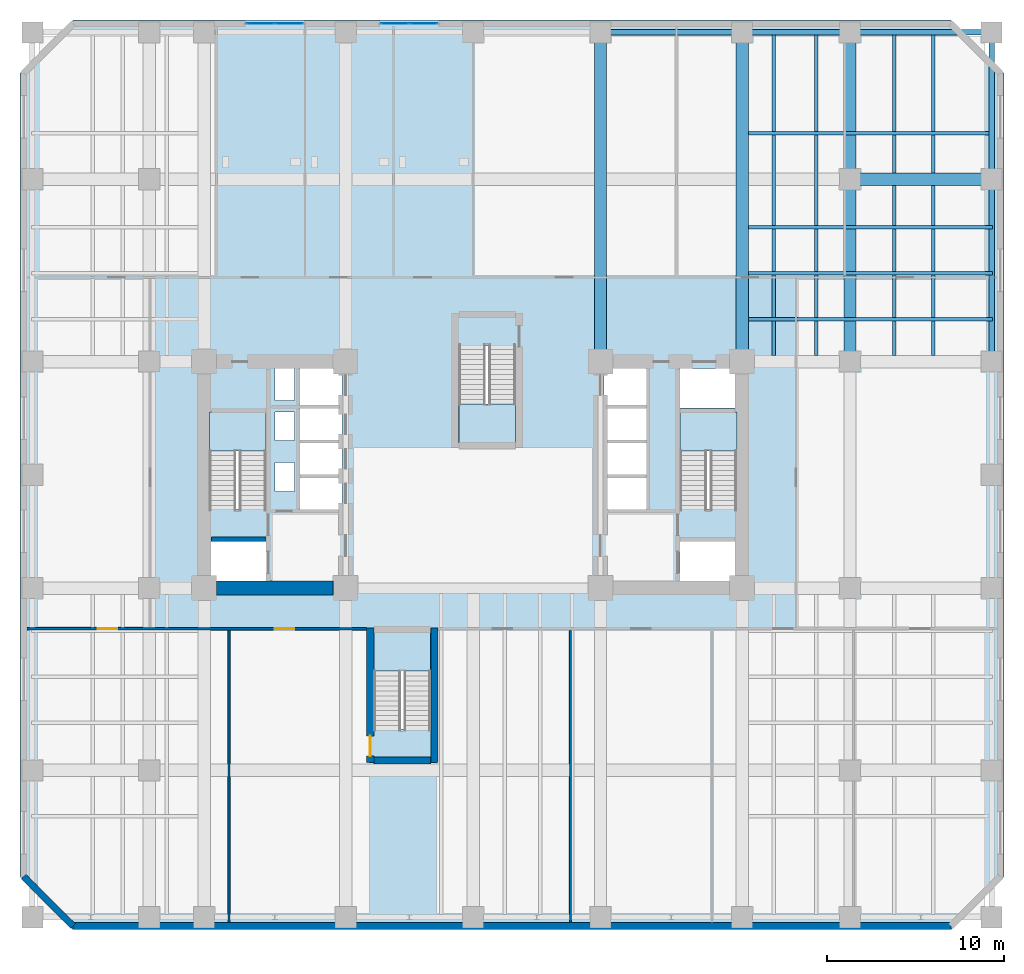
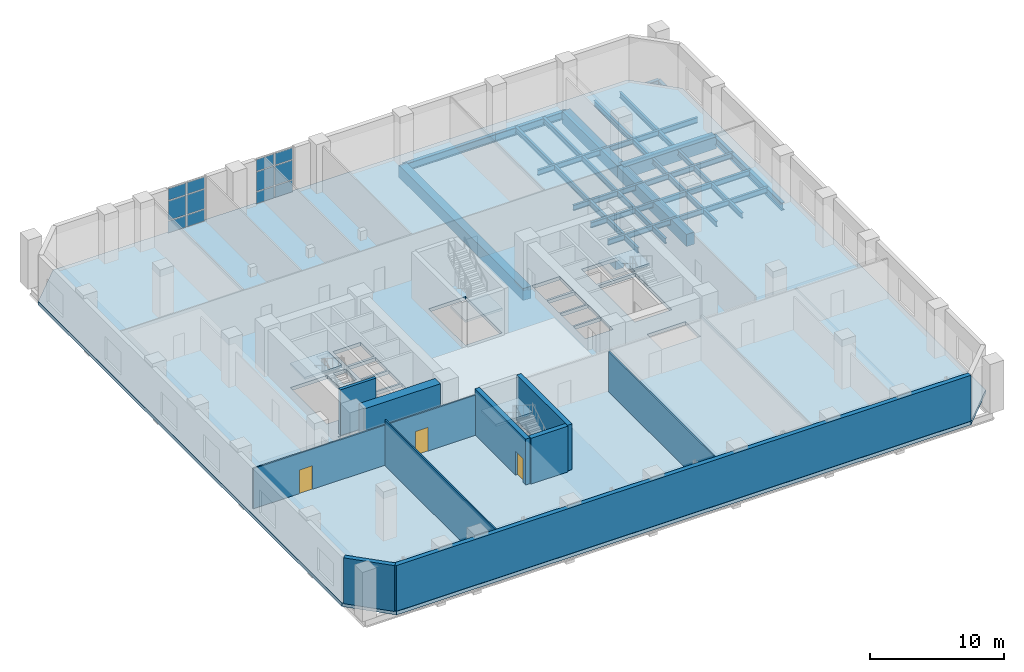
# One storey, part 6 of 15: 18 beams, 12 plates, 10 walls, 5 slabs, 3 doors, 3 openings, 6 elements without a shape of their own.
"""IFC4 building model written with IfcOpenShell, lengths in metres."""

from ifc_helpers import new_model, si_unit, direction, frame, frame_2d, origin, origin_2d, place, context, subcontext, project, spatial, polyline, rectangle, i_section, outline, extrude, material, layer, layer_set, material_profile, profile_set, type_object, element, fill, aggregate, save


model = new_model("IFC4")

# Units and contexts
model_context = context("Model", 3, precision=1e-05, world=origin(), true_north=direction((0.0, 1.0)))
body_context = subcontext(model_context, "Body", "Model", "MODEL_VIEW")
ifc_project = project(units=[si_unit("LENGTHUNIT", "METRE"), si_unit("AREAUNIT", "SQUARE_METRE"), si_unit("VOLUMEUNIT", "CUBIC_METRE"), si_unit("PLANEANGLEUNIT", "RADIAN"), si_unit("MASSUNIT", "GRAM", prefix="KILO")], contexts=[model_context])

# Site, building, storey
site_placement = place(None, origin())
site = spatial("IfcSite", under=ifc_project, at=site_placement, CompositionType="ELEMENT")
building_placement = place(site_placement, origin())
building = spatial("IfcBuilding", under=site, at=building_placement, Name="Kranthara Brick Stack", CompositionType="ELEMENT")
storey_placement = place(building_placement, frame((0.0, 0.0, 9.89990234375)))
storey = spatial("IfcBuildingStorey", under=building, at=storey_placement, Name="L02", CompositionType="ELEMENT", Elevation=9.89990234375)

# Beams
ifc_material_1 = material(Name="Steel S355", Category="steel")
ifc_material_profile_1 = material_profile(ifc_material_1, i_section(OverallWidth=0.199951171875, OverallDepth=0.5, WebThickness=0.01025390625, FlangeThickness=0.01611328125, at=origin_2d()), Name="IPE 500")
ifc_profile_set_1 = profile_set([ifc_material_profile_1], Name="Steel S355")
beam_type_1 = type_object("IfcBeamType", Name="BM-JST-IPE500", PredefinedType="JOIST", material=ifc_profile_set_1)
for number, where, z_axis, x_axis, name in (
    (1, (45.0, 33.949951171875, -0.56982421875), (0.0, 1.0, 0.0), (-1.0, 0.0, 0.0), "L02 North Wing Floor Joist 076"),
    (2, (47.39990234375, 33.949951171875, -0.56982421875), (0.0, 1.0, 0.0), (-1.0, 0.0, 0.0), "L02 North Wing Floor Joist 078"),
    (3, (51.800048828125, 33.949951171875, -0.56982421875), (0.0, 1.0, 0.0), (-1.0, 0.0, 0.0), "L02 North Wing Floor Joist 080"),
    (4, (54.0, 33.949951171875, -0.56982421875), (0.0, 1.0, 0.0), (-1.0, 0.0, 0.0), "L02 North Wing Floor Joist 082"),
):
    element("IfcBeam", number, at=place(storey_placement, frame(where, z_axis=z_axis, x_axis=x_axis)), inside=storey, type_object=beam_type_1, Name=name, PredefinedType="JOIST", context=body_context, shape_type="SweptSolid", body=[
        extrude(i_section(OverallWidth=0.199951171875, OverallDepth=0.5, WebThickness=0.01025390625, FlangeThickness=0.01611328125, at=origin_2d()), origin(), (0.0, 0.0, 1.0), 18.300048828125),
    ])
for number, where, z_axis, x_axis, name in (
    (5, (43.550048828125, 36.0, -0.56982421875), (1.0, 0.0, 0.0), (0.0, 1.0, 0.0), "L02 East Wing Floor Joist 092"),
    (6, (43.550048828125, 38.60009765625, -0.56982421875), (1.0, 0.0, 0.0), (0.0, 1.0, 0.0), "L02 East Wing Floor Joist 094"),
    (7, (43.550048828125, 41.199951171875, -0.56982421875), (1.0, 0.0, 0.0), (0.0, 1.0, 0.0), "L02 East Wing Floor Joist 096"),
    (8, (43.550048828125, 46.5, -0.56982421875), (1.0, 0.0, 0.0), (0.0, 1.0, 0.0), "L02 East Wing Floor Joist 098"),
):
    element("IfcBeam", number, at=place(storey_placement, frame(where, z_axis=z_axis, x_axis=x_axis)), inside=storey, type_object=beam_type_1, Name=name, PredefinedType="JOIST", context=body_context, shape_type="SweptSolid", body=[
        extrude(i_section(OverallWidth=0.199951171875, OverallDepth=0.5, WebThickness=0.01025390625, FlangeThickness=0.01611328125, at=origin_2d()), origin(), (0.0, 0.0, 1.0), 13.800048828125),
    ])
ifc_material_2 = material(Name="Post-tensioned concrete C45/55", Category="concrete")
ifc_material_profile_2 = material_profile(ifc_material_2, rectangle(XDim=0.699951171875, YDim=1.10009765625, at=origin_2d()), Name="PT 700x1100")
ifc_profile_set_2 = profile_set([ifc_material_profile_2], Name="Post-tensioned concrete C45/55")
beam_type_2 = type_object("IfcBeamType", Name="BM-POD-PT1100", PredefinedType="BEAM", material=ifc_profile_set_2)
for number, where, z_axis, x_axis, name in (
    (9, (35.199951171875, 33.60009765625, -0.869873046875), (0.0, 1.0, 0.0), (-1.0, 0.0, 0.0), "L02 Primary Grid Girder 043"),
    (10, (43.199951171875, 33.60009765625, -0.869873046875), (0.0, 1.0, 0.0), (-1.0, 0.0, 0.0), "L02 Primary Grid Girder 045"),
):
    element("IfcBeam", number, at=place(storey_placement, frame(where, z_axis=z_axis, x_axis=x_axis)), inside=storey, type_object=beam_type_2, Name=name, PredefinedType="BEAM", context=body_context, shape_type="SweptSolid", body=[
        extrude(rectangle(XDim=0.699951171875, YDim=1.10009765625, at=origin_2d()), origin(), (0.0, 0.0, 1.0), 18.599853515625),
    ])
beam_1_placement = place(storey_placement, frame((49.300048828125, 33.60009765625, -0.869873046875), z_axis=(0.0, 1.0, 0.0), x_axis=(-1.0, 0.0, 0.0)))
element("IfcBeam", 11, at=beam_1_placement, inside=storey, type_object=beam_type_2, Name="L02 Primary Grid Girder 049", PredefinedType="BEAM", context=body_context, shape_type="SweptSolid", body=[
    extrude(rectangle(XDim=0.699951171875, YDim=1.10009765625, at=origin_2d()), origin(), (0.0, 0.0, 1.0), 10.2998046875),
])
beam_2_placement = place(storey_placement, frame((49.300048828125, 43.89990234375, -0.869873046875), z_axis=(0.0, 1.0, 0.0), x_axis=(-1.0, 0.0, 0.0)))
element("IfcBeam", 12, at=beam_2_placement, inside=storey, type_object=beam_type_2, Name="L02 Primary Grid Girder 050", PredefinedType="BEAM", context=body_context, shape_type="SweptSolid", body=[
    extrude(rectangle(XDim=0.699951171875, YDim=1.10009765625, at=origin_2d()), origin(), (0.0, 0.0, 1.0), 8.300048828125),
])
beam_3_placement = place(storey_placement, frame((49.300048828125, 43.89990234375, -0.869873046875), z_axis=(1.0, 0.0, 0.0), x_axis=(0.0, 1.0, 0.0)))
element("IfcBeam", 13, at=beam_3_placement, inside=storey, type_object=beam_type_2, Name="L02 Primary Grid Girder 064", PredefinedType="BEAM", context=body_context, shape_type="SweptSolid", body=[
    extrude(rectangle(XDim=0.699951171875, YDim=1.10009765625, at=origin_2d()), origin(), (0.0, 0.0, 1.0), 8.0),
])
ifc_material_3 = material(Name="Steel S355", Category="steel")
ifc_material_profile_3 = material_profile(ifc_material_3, i_section(OverallWidth=0.300048828125, OverallDepth=0.699951171875, WebThickness=0.01708984375, FlangeThickness=0.031982421875, at=origin_2d()), Name="HEB 700")
ifc_profile_set_3 = profile_set([ifc_material_profile_3], Name="Steel S355")
beam_type_3 = type_object("IfcBeamType", Name="BM-STL-HEB700", PredefinedType="BEAM", material=ifc_profile_set_3)
beam_4_placement = place(storey_placement, frame((35.199951171875, 52.199951171875, -0.669921875), z_axis=(1.0, 0.0, 0.0), x_axis=(0.0, 1.0, 0.0)))
element("IfcBeam", 14, at=beam_4_placement, inside=storey, type_object=beam_type_3, Name="L02 Perimeter Spandrel Beam 017", PredefinedType="BEAM", context=body_context, shape_type="SweptSolid", body=[
    extrude(i_section(OverallWidth=0.300048828125, OverallDepth=0.699951171875, WebThickness=0.01708984375, FlangeThickness=0.031982421875, at=origin_2d()), origin(), (0.0, 0.0, 1.0), 8.0),
])
beam_5_placement = place(storey_placement, frame((43.199951171875, 52.199951171875, -0.669921875), z_axis=(1.0, 0.0, 0.0), x_axis=(0.0, 1.0, 0.0)))
element("IfcBeam", 15, at=beam_5_placement, inside=storey, type_object=beam_type_3, Name="L02 Perimeter Spandrel Beam 018", PredefinedType="BEAM", context=body_context, shape_type="SweptSolid", body=[
    extrude(i_section(OverallWidth=0.300048828125, OverallDepth=0.699951171875, WebThickness=0.01708984375, FlangeThickness=0.031982421875, at=origin_2d()), origin(), (0.0, 0.0, 1.0), 6.10009765625),
])
beam_6_placement = place(storey_placement, frame((49.300048828125, 52.199951171875, -0.669921875), z_axis=(1.0, 0.0, 0.0), x_axis=(0.0, 1.0, 0.0)))
element("IfcBeam", 16, at=beam_6_placement, inside=storey, type_object=beam_type_3, Name="L02 Perimeter Spandrel Beam 019", PredefinedType="BEAM", context=body_context, shape_type="SweptSolid", body=[
    extrude(i_section(OverallWidth=0.300048828125, OverallDepth=0.699951171875, WebThickness=0.01708984375, FlangeThickness=0.031982421875, at=origin_2d()), origin(), (0.0, 0.0, 1.0), 8.0),
])
beam_7_placement = place(storey_placement, frame((57.300048828125, 33.60009765625, -0.669921875), z_axis=(0.0, 1.0, 0.0), x_axis=(-1.0, 0.0, 0.0)))
element("IfcBeam", 17, at=beam_7_placement, inside=storey, type_object=beam_type_3, Name="L02 Perimeter Spandrel Beam 030", PredefinedType="BEAM", context=body_context, shape_type="SweptSolid", body=[
    extrude(i_section(OverallWidth=0.300048828125, OverallDepth=0.699951171875, WebThickness=0.01708984375, FlangeThickness=0.031982421875, at=origin_2d()), origin(), (0.0, 0.0, 1.0), 10.2998046875),
])
beam_8_placement = place(storey_placement, frame((57.300048828125, 43.89990234375, -0.669921875), z_axis=(0.0, 1.0, 0.0), x_axis=(-1.0, 0.0, 0.0)))
element("IfcBeam", 18, at=beam_8_placement, inside=storey, type_object=beam_type_3, Name="L02 Perimeter Spandrel Beam 031", PredefinedType="BEAM", context=body_context, shape_type="SweptSolid", body=[
    extrude(i_section(OverallWidth=0.300048828125, OverallDepth=0.699951171875, WebThickness=0.01708984375, FlangeThickness=0.031982421875, at=origin_2d()), origin(), (0.0, 0.0, 1.0), 8.300048828125),
])

# Curtain wall, plates
ifc_material_4 = material(Name="Bronze anodised aluminium and low-E glass", Category="aluminium")
ifc_layer_1 = layer(ifc_material_4, 0.219970703125)
ifc_layer_set_1 = layer_set([ifc_layer_1], Name="Bronze anodised aluminium and low-E glass")
curtain_wall_type = type_object("IfcCurtainWallType", Name="CW-SYS2-PODIUM", PredefinedType="USERDEFINED", material=ifc_layer_set_1)
curtain_wall_1_placement = place(storey_placement, origin())
curtain_wall_1 = element("IfcCurtainWall", 19, at=curtain_wall_1_placement, inside=storey, type_object=curtain_wall_type, Name="L02 Curtain Wall CW2-L02-01", ObjectType="UNITISED CURTAIN WALL", PredefinedType="USERDEFINED")
ifc_material_5 = material(Name="Double-glazed low-E vision glass", Category="glass")
ifc_layer_2 = layer(ifc_material_5, 0.028076171875)
ifc_layer_set_2 = layer_set([ifc_layer_2], Name="Double-glazed low-E vision glass")
plate_type = type_object("IfcPlateType", Name="CWP-GLZ-28", PredefinedType="CURTAIN_PANEL", material=ifc_layer_set_2)
plate_1_placement = place(storey_placement, frame((15.99365234375, 52.68994140625, 0.0751953125), z_axis=(0.0, 0.0, 1.0), x_axis=(1.0, 0.0, 0.0)))
plate_1 = element("IfcPlate", 20, at=plate_1_placement, type_object=plate_type, Name="CW panel 1.1", PredefinedType="CURTAIN_PANEL", context=body_context, shape_type="SweptSolid", body=[
    extrude(rectangle(XDim=1.53759765625, YDim=0.028076171875, at=origin_2d()), origin(), (0.0, 0.0, 1.0), 1.057861328125),
])
plate_2_placement = place(storey_placement, frame((15.99365234375, 52.68994140625, 1.2080078125), z_axis=(0.0, 0.0, 1.0), x_axis=(1.0, 0.0, 0.0)))
plate_2 = element("IfcPlate", 21, at=plate_2_placement, type_object=plate_type, Name="CW panel 1.2", PredefinedType="CURTAIN_PANEL", context=body_context, shape_type="SweptSolid", body=[
    extrude(rectangle(XDim=1.53759765625, YDim=0.028076171875, at=origin_2d()), origin(), (0.0, 0.0, 1.0), 1.76416015625),
])
plate_3_placement = place(storey_placement, frame((15.99365234375, 52.68994140625, 3.04736328125), z_axis=(0.0, 0.0, 1.0), x_axis=(1.0, 0.0, 0.0)))
plate_3 = element("IfcPlate", 22, at=plate_3_placement, type_object=plate_type, Name="CW panel 1.3", PredefinedType="CURTAIN_PANEL", context=body_context, shape_type="SweptSolid", body=[
    extrude(rectangle(XDim=1.53759765625, YDim=0.028076171875, at=origin_2d()), origin(), (0.0, 0.0, 1.0), 1.057861328125),
])
plate_4_placement = place(storey_placement, frame((17.606201171875, 52.68994140625, 0.0751953125), z_axis=(0.0, 0.0, 1.0), x_axis=(1.0, 0.0, 0.0)))
plate_4 = element("IfcPlate", 23, at=plate_4_placement, type_object=plate_type, Name="CW panel 2.1", PredefinedType="CURTAIN_PANEL", context=body_context, shape_type="SweptSolid", body=[
    extrude(rectangle(XDim=1.53759765625, YDim=0.028076171875, at=origin_2d()), origin(), (0.0, 0.0, 1.0), 1.057861328125),
])
plate_5_placement = place(storey_placement, frame((17.606201171875, 52.68994140625, 1.2080078125), z_axis=(0.0, 0.0, 1.0), x_axis=(1.0, 0.0, 0.0)))
plate_5 = element("IfcPlate", 24, at=plate_5_placement, type_object=plate_type, Name="CW panel 2.2", PredefinedType="CURTAIN_PANEL", context=body_context, shape_type="SweptSolid", body=[
    extrude(rectangle(XDim=1.53759765625, YDim=0.028076171875, at=origin_2d()), origin(), (0.0, 0.0, 1.0), 1.76416015625),
])
plate_6_placement = place(storey_placement, frame((17.606201171875, 52.68994140625, 3.04736328125), z_axis=(0.0, 0.0, 1.0), x_axis=(1.0, 0.0, 0.0)))
plate_6 = element("IfcPlate", 25, at=plate_6_placement, type_object=plate_type, Name="CW panel 2.3", PredefinedType="CURTAIN_PANEL", context=body_context, shape_type="SweptSolid", body=[
    extrude(rectangle(XDim=1.53759765625, YDim=0.028076171875, at=origin_2d()), origin(), (0.0, 0.0, 1.0), 1.057861328125),
])
aggregate(curtain_wall_1, [plate_1, plate_2, plate_3, plate_4, plate_5, plate_6])

curtain_wall_2_placement = place(storey_placement, origin())
curtain_wall_2 = element("IfcCurtainWall", 26, at=curtain_wall_2_placement, inside=storey, type_object=curtain_wall_type, Name="L02 Curtain Wall CW2-L02-02", ObjectType="UNITISED CURTAIN WALL", PredefinedType="USERDEFINED")
plate_7_placement = place(storey_placement, frame((23.59375, 52.68994140625, 0.0751953125), z_axis=(0.0, 0.0, 1.0), x_axis=(1.0, 0.0, 0.0)))
plate_7 = element("IfcPlate", 27, at=plate_7_placement, type_object=plate_type, Name="CW panel 1.1", PredefinedType="CURTAIN_PANEL", context=body_context, shape_type="SweptSolid", body=[
    extrude(rectangle(XDim=1.53759765625, YDim=0.028076171875, at=origin_2d()), origin(), (0.0, 0.0, 1.0), 1.057861328125),
])
plate_8_placement = place(storey_placement, frame((23.59375, 52.68994140625, 1.2080078125), z_axis=(0.0, 0.0, 1.0), x_axis=(1.0, 0.0, 0.0)))
plate_8 = element("IfcPlate", 28, at=plate_8_placement, type_object=plate_type, Name="CW panel 1.2", PredefinedType="CURTAIN_PANEL", context=body_context, shape_type="SweptSolid", body=[
    extrude(rectangle(XDim=1.53759765625, YDim=0.028076171875, at=origin_2d()), origin(), (0.0, 0.0, 1.0), 1.76416015625),
])
plate_9_placement = place(storey_placement, frame((23.59375, 52.68994140625, 3.04736328125), z_axis=(0.0, 0.0, 1.0), x_axis=(1.0, 0.0, 0.0)))
plate_9 = element("IfcPlate", 29, at=plate_9_placement, type_object=plate_type, Name="CW panel 1.3", PredefinedType="CURTAIN_PANEL", context=body_context, shape_type="SweptSolid", body=[
    extrude(rectangle(XDim=1.53759765625, YDim=0.028076171875, at=origin_2d()), origin(), (0.0, 0.0, 1.0), 1.057861328125),
])
plate_10_placement = place(storey_placement, frame((25.206298828125, 52.68994140625, 0.0751953125), z_axis=(0.0, 0.0, 1.0), x_axis=(1.0, 0.0, 0.0)))
plate_10 = element("IfcPlate", 30, at=plate_10_placement, type_object=plate_type, Name="CW panel 2.1", PredefinedType="CURTAIN_PANEL", context=body_context, shape_type="SweptSolid", body=[
    extrude(rectangle(XDim=1.53759765625, YDim=0.028076171875, at=origin_2d()), origin(), (0.0, 0.0, 1.0), 1.057861328125),
])
plate_11_placement = place(storey_placement, frame((25.206298828125, 52.68994140625, 1.2080078125), z_axis=(0.0, 0.0, 1.0), x_axis=(1.0, 0.0, 0.0)))
plate_11 = element("IfcPlate", 31, at=plate_11_placement, type_object=plate_type, Name="CW panel 2.2", PredefinedType="CURTAIN_PANEL", context=body_context, shape_type="SweptSolid", body=[
    extrude(rectangle(XDim=1.53759765625, YDim=0.028076171875, at=origin_2d()), origin(), (0.0, 0.0, 1.0), 1.76416015625),
])
plate_12_placement = place(storey_placement, frame((25.206298828125, 52.68994140625, 3.04736328125), z_axis=(0.0, 0.0, 1.0), x_axis=(1.0, 0.0, 0.0)))
plate_12 = element("IfcPlate", 32, at=plate_12_placement, type_object=plate_type, Name="CW panel 2.3", PredefinedType="CURTAIN_PANEL", context=body_context, shape_type="SweptSolid", body=[
    extrude(rectangle(XDim=1.53759765625, YDim=0.028076171875, at=origin_2d()), origin(), (0.0, 0.0, 1.0), 1.057861328125),
])
aggregate(curtain_wall_2, [plate_7, plate_8, plate_9, plate_10, plate_11, plate_12])

# Stair, slab
ifc_material_6 = material(Name="Concrete C45/55", Category="concrete")
stair_type = type_object("IfcStairType", Name="ST-CORE-26R", PredefinedType="HALF_TURN_STAIR", material=ifc_material_6)
stair_1_placement = place(storey_placement, origin())
stair_1 = element("IfcStair", 33, at=stair_1_placement, inside=storey, type_object=stair_type, Name="L02 West Core Protected Exit Stair ST01", PredefinedType="HALF_TURN_STAIR")
ifc_material_7 = material(Name="Concrete C45/55", Category="concrete")
ifc_layer_3 = layer(ifc_material_7, 0.199951171875)
ifc_layer_set_3 = layer_set([ifc_layer_3], Name="Concrete C45/55")
slab_type_1 = type_object("IfcSlabType", Name="SLB-LANDING-200", PredefinedType="LANDING", material=ifc_layer_set_3)
slab_1_placement = place(storey_placement, frame((0.0, 0.0, 2.050048828125)))
slab_1 = element("IfcSlab", 34, at=slab_1_placement, type_object=slab_type_1, Name="ST01 landing 1", PredefinedType="LANDING", context=body_context, shape_type="SweptSolid", body=[
    extrude(outline(polyline([(16.300048828125, 28.56005859375), (16.300048828125, 30.75), (13.10009765625, 30.75), (13.10009765625, 28.56005859375), (16.300048828125, 28.56005859375)])), origin(), (0.0, 0.0, 1.0), 0.199951171875),
])
aggregate(stair_1, [slab_1])

stair_2_placement = place(storey_placement, origin())
stair_2 = element("IfcStair", 35, at=stair_2_placement, inside=storey, type_object=stair_type, Name="L02 East Core Protected Exit Stair ST02", PredefinedType="HALF_TURN_STAIR")
slab_2_placement = place(storey_placement, frame((0.0, 0.0, 2.050048828125)))
slab_2 = element("IfcSlab", 36, at=slab_2_placement, type_object=slab_type_1, Name="ST02 landing 1", PredefinedType="LANDING", context=body_context, shape_type="SweptSolid", body=[
    extrude(outline(polyline([(42.89990234375, 28.56005859375), (42.89990234375, 30.75), (39.699951171875, 30.75), (39.699951171875, 28.56005859375), (42.89990234375, 28.56005859375)])), origin(), (0.0, 0.0, 1.0), 0.199951171875),
])
aggregate(stair_2, [slab_2])

stair_3_placement = place(storey_placement, origin())
stair_3 = element("IfcStair", 37, at=stair_3_placement, inside=storey, type_object=stair_type, Name="L02 Podium South Protected Exit Stair ST03", PredefinedType="HALF_TURN_STAIR")
slab_3_placement = place(storey_placement, frame((0.0, 0.0, 2.050048828125)))
slab_3 = element("IfcSlab", 38, at=slab_3_placement, type_object=slab_type_1, Name="ST03 landing 1", PredefinedType="LANDING", context=body_context, shape_type="SweptSolid", body=[
    extrude(outline(polyline([(25.60009765625, 16.110107421875), (25.60009765625, 18.300048828125), (22.39990234375, 18.300048828125), (22.39990234375, 16.110107421875), (25.60009765625, 16.110107421875)])), origin(), (0.0, 0.0, 1.0), 0.199951171875),
])
aggregate(stair_3, [slab_3])

stair_4_placement = place(storey_placement, origin())
stair_4 = element("IfcStair", 39, at=stair_4_placement, inside=storey, type_object=stair_type, Name="L02 Podium North Protected Exit Stair ST04", PredefinedType="HALF_TURN_STAIR")
slab_4_placement = place(storey_placement, frame((0.0, 0.0, 2.050048828125)))
slab_4 = element("IfcSlab", 40, at=slab_4_placement, type_object=slab_type_1, Name="ST04 landing 1", PredefinedType="LANDING", context=body_context, shape_type="SweptSolid", body=[
    extrude(outline(polyline([(27.199951171875, 31.18994140625), (27.199951171875, 29.0), (30.39990234375, 29.0), (30.39990234375, 31.18994140625), (27.199951171875, 31.18994140625)])), origin(), (0.0, 0.0, 1.0), 0.199951171875),
])
aggregate(stair_4, [slab_4])

# Slab
ifc_material_8 = material(Name="Post-tensioned concrete C45/55", Category="concrete")
ifc_layer_4 = layer(ifc_material_8, 0.320068359375)
ifc_layer_set_4 = layer_set([ifc_layer_4], Name="Post-tensioned concrete C45/55")
slab_type_2 = type_object("IfcSlabType", Name="SLB-POD-320", PredefinedType="FLOOR", material=ifc_layer_set_4)
slab_5_placement = place(storey_placement, frame((0.0, 0.0, -0.31982421875)))
element("IfcSlab", 41, at=slab_5_placement, inside=storey, type_object=slab_type_2, Name="L02 Structural Floor Plate", PredefinedType="FLOOR", context=body_context, shape_type="SweptSolid", body=[
    extrude(outline(polyline([(5.39990234375, 1.5), (55.0, 1.5), (58.0, 4.5), (58.0, 49.89990234375), (55.0, 52.89990234375), (5.39990234375, 52.89990234375), (2.39990234375, 49.89990234375), (2.39990234375, 4.5), (5.39990234375, 1.5)]), holes=[polyline([(13.10009765625, 25.280029296875), (16.300048828125, 25.280029296875), (16.300048828125, 30.75), (13.10009765625, 30.75), (13.10009765625, 25.280029296875)]), polyline([(39.699951171875, 25.280029296875), (42.89990234375, 25.280029296875), (42.89990234375, 30.75), (39.699951171875, 30.75), (39.699951171875, 25.280029296875)]), polyline([(22.39990234375, 12.830078125), (25.60009765625, 12.830078125), (25.60009765625, 18.300048828125), (22.39990234375, 18.300048828125), (22.39990234375, 12.830078125)]), polyline([(27.199951171875, 29.0), (30.39990234375, 29.0), (30.39990234375, 34.469970703125), (27.199951171875, 34.469970703125), (27.199951171875, 29.0)]), polyline([(13.0, 21.179931640625), (16.320068359375, 21.179931640625), (16.320068359375, 23.419921875), (13.0, 23.419921875), (13.0, 21.179931640625)]), polyline([(39.679931640625, 21.179931640625), (43.0, 21.179931640625), (43.0, 23.419921875), (39.679931640625, 23.419921875), (39.679931640625, 21.179931640625)]), polyline([(39.679931640625, 30.97998046875), (43.0, 30.97998046875), (43.0, 33.219970703125), (39.679931640625, 33.219970703125), (39.679931640625, 30.97998046875)]), polyline([(18.199951171875, 25.25), (20.60009765625, 25.25), (20.60009765625, 27.050048828125), (18.199951171875, 27.050048828125), (18.199951171875, 25.25)]), polyline([(18.199951171875, 27.199951171875), (20.60009765625, 27.199951171875), (20.60009765625, 29.0), (18.199951171875, 29.0), (18.199951171875, 27.199951171875)]), polyline([(18.199951171875, 29.14990234375), (20.60009765625, 29.14990234375), (20.60009765625, 30.949951171875), (18.199951171875, 30.949951171875), (18.199951171875, 29.14990234375)]), polyline([(35.39990234375, 25.25), (37.800048828125, 25.25), (37.800048828125, 27.050048828125), (35.39990234375, 27.050048828125), (35.39990234375, 25.25)]), polyline([(35.39990234375, 27.199951171875), (37.800048828125, 27.199951171875), (37.800048828125, 29.0), (35.39990234375, 29.0), (35.39990234375, 27.199951171875)]), polyline([(35.39990234375, 29.14990234375), (37.800048828125, 29.14990234375), (37.800048828125, 30.949951171875), (35.39990234375, 30.949951171875), (35.39990234375, 29.14990234375)]), polyline([(18.199951171875, 31.14990234375), (20.60009765625, 31.14990234375), (20.60009765625, 33.219970703125), (18.199951171875, 33.219970703125), (18.199951171875, 31.14990234375)]), polyline([(35.39990234375, 31.14990234375), (37.800048828125, 31.14990234375), (37.800048828125, 33.219970703125), (35.39990234375, 33.219970703125), (35.39990234375, 31.14990234375)]), polyline([(16.800048828125, 26.25), (17.89990234375, 26.25), (17.89990234375, 27.89990234375), (16.800048828125, 27.89990234375), (16.800048828125, 26.25)]), polyline([(16.800048828125, 29.14990234375), (17.89990234375, 29.14990234375), (17.89990234375, 30.75), (16.800048828125, 30.75), (16.800048828125, 29.14990234375)]), polyline([(16.800048828125, 31.39990234375), (17.89990234375, 31.39990234375), (17.89990234375, 33.25), (16.800048828125, 33.25), (16.800048828125, 31.39990234375)])]), origin(), (0.0, 0.0, 1.0), 0.31982421875),
])

# Walls
ifc_material_9 = material(Name="Kiln-fired clay brick masonry M15", Category="masonry")
ifc_layer_5 = layer(ifc_material_9, 0.3798828125)
ifc_layer_set_5 = layer_set([ifc_layer_5], Name="Kiln-fired clay brick masonry M15")
wall_type_1 = type_object("IfcWallType", Name="WL-BRK-PIER-380", PredefinedType="STANDARD", material=ifc_layer_set_5)
wall_1_placement = place(storey_placement, frame((55.0, 1.7099609375, 0.0), z_axis=(0.0, 0.0, 1.0), x_axis=(-1.0, 0.0, 0.0)))
element("IfcWall", 42, at=wall_1_placement, inside=storey, type_object=wall_type_1, Name="L02 Exterior Brick Facade Wall SOUTH 1", PredefinedType="STANDARD", context=body_context, shape_type="SweptSolid", body=[
    extrude(rectangle(XDim=49.60009765625, YDim=0.3798828125, at=frame_2d((24.800048828125, 0.0))), origin(), (0.0, 0.0, 1.0), 4.18017578125),
])
wall_2_placement = place(storey_placement, frame((5.39990234375, 1.7099609375, 0.0), z_axis=(0.0, 0.0, 1.0), x_axis=(-0.707075841688, 0.707137719332, 0.0)))
element("IfcWall", 43, at=wall_2_placement, inside=storey, type_object=wall_type_1, Name="L02 Exterior Brick Facade Wall SW 1", PredefinedType="STANDARD", context=body_context, shape_type="SweptSolid", body=[
    extrude(rectangle(XDim=3.945556640625, YDim=0.3798828125, at=frame_2d((1.97265625, 0.0))), origin(), (0.0, 0.0, 1.0), 4.18017578125),
])
ifc_material_10 = material(Name="Concrete C50/60", Category="concrete")
ifc_layer_6 = layer(ifc_material_10, 0.25)
ifc_layer_set_6 = layer_set([ifc_layer_6], Name="Concrete C50/60")
wall_type_2 = type_object("IfcWallType", Name="WL-CORE-250", PredefinedType="SHEAR", material=ifc_layer_set_6)
wall_3_placement = place(storey_placement, frame((13.2099609375, 23.570068359375, 0.0), z_axis=(0.0, 0.0, 1.0), x_axis=(1.0, 0.0, 0.0)))
element("IfcWall", 44, at=wall_3_placement, inside=storey, type_object=wall_type_2, Name="L02 West Stairwell Bearing Wall WFF", PredefinedType="SHEAR", context=body_context, shape_type="SweptSolid", body=[
    extrude(rectangle(XDim=3.10009765625, YDim=0.25, at=frame_2d((1.550048828125, 0.0))), origin(), (0.0, 0.0, 1.0), 4.18017578125),
])

# Wall, opening, door
ifc_material_11 = material(Name="Concrete C50/60", Category="concrete")
ifc_layer_7 = layer(ifc_material_11, 0.39990234375)
ifc_layer_set_7 = layer_set([ifc_layer_7], Name="Concrete C50/60")
wall_type_3 = type_object("IfcWallType", Name="WL-CORE-400", PredefinedType="SHEAR", material=ifc_layer_set_7)
wall_4_placement = place(storey_placement, frame((22.18994140625, 10.949951171875, 0.0), z_axis=(0.0, 0.0, 1.0), x_axis=(0.0, 1.0, 0.0)))
wall_4 = element("IfcWall", 45, at=wall_4_placement, inside=storey, type_object=wall_type_3, Name="L02 Stair ST03 Bearing Wall W", PredefinedType="SHEAR", context=body_context, shape_type="SweptSolid", body=[
    extrude(rectangle(XDim=7.60009765625, YDim=0.39990234375, at=frame_2d((3.800048828125, 0.0))), origin(), (0.0, 0.0, 1.0), 4.18017578125),
])
opening_1_placement = place(wall_4_placement, frame((0.35009765625, 0.0, 0.0)))
opening_1 = element("IfcOpeningElement", 46, at=opening_1_placement, cuts=wall_4, Name="Opening D05", PredefinedType="OPENING", context=body_context, shape_type="SweptSolid", body=[
    extrude(rectangle(XDim=1.14990234375, YDim=2.14990234375, at=frame_2d((0.574951171875, 1.074951171875))), frame((0.0, 0.2099609375, 0.0), z_axis=(0.0, -1.0, 0.0), x_axis=(1.0, 0.0, 0.0)), (0.0, 0.0, 1.0), 0.419921875),
])
ifc_material_12 = material(Name="Solid-core hardwood timber leaf in steel frame", Category="steel")
door_type_1 = type_object("IfcDoorType", Name="DR-ST-1150", OperationType="NOTDEFINED", PredefinedType="DOOR", material=ifc_material_12)
door_1_placement = place(opening_1_placement, origin())
door_1 = element("IfcDoor", 47, at=door_1_placement, inside=storey, type_object=door_type_1, Name="L02 Stair ST03 Door", OperationType="SINGLE_SWING_LEFT", OverallHeight=2.14990234375, OverallWidth=1.14990234375, PredefinedType="DOOR", context=body_context, shape_type="SweptSolid", body=[
    extrude(rectangle(XDim=1.14990234375, YDim=2.14990234375, at=frame_2d((0.574951171875, 1.074951171875))), frame((0.0, 0.02490234375, 0.0), z_axis=(0.0, -1.0, 0.0), x_axis=(1.0, 0.0, 0.0)), (0.0, 0.0, 1.0), 0.050048828125),
])
fill(opening_1, door_1)

# Walls
wall_5_placement = place(storey_placement, frame((25.81005859375, 10.949951171875, 0.0), z_axis=(0.0, 0.0, 1.0), x_axis=(0.0, 1.0, 0.0)))
element("IfcWall", 48, at=wall_5_placement, inside=storey, type_object=wall_type_3, Name="L02 Stair ST03 Bearing Wall E", PredefinedType="SHEAR", context=body_context, shape_type="SweptSolid", body=[
    extrude(rectangle(XDim=7.60009765625, YDim=0.39990234375, at=frame_2d((3.800048828125, 0.0))), origin(), (0.0, 0.0, 1.0), 4.18017578125),
])
wall_6_placement = place(storey_placement, frame((22.39990234375, 11.050048828125, 0.0), z_axis=(0.0, 0.0, 1.0), x_axis=(1.0, 0.0, 0.0)))
element("IfcWall", 49, at=wall_6_placement, inside=storey, type_object=wall_type_3, Name="L02 Stair ST03 Bearing Wall S", PredefinedType="SHEAR", context=body_context, shape_type="SweptSolid", body=[
    extrude(rectangle(XDim=3.2001953125, YDim=0.39990234375, at=frame_2d((1.60009765625, 0.0))), origin(), (0.0, 0.0, 1.0), 4.18017578125),
])
ifc_material_13 = material(Name="Concrete C70/85", Category="concrete")
ifc_layer_8 = layer(ifc_material_13, 0.800048828125)
ifc_layer_set_8 = layer_set([ifc_layer_8], Name="Concrete C70/85")
wall_type_4 = type_object("IfcWallType", Name="WL-CORE-800", PredefinedType="SHEAR", material=ifc_layer_set_8)
wall_7_placement = place(storey_placement, frame((13.5048828125, 20.800048828125, 0.0), z_axis=(0.0, 0.0, 1.0), x_axis=(1.0, 0.0, 0.0)))
element("IfcWall", 50, at=wall_7_placement, inside=storey, type_object=wall_type_4, Name="L02 West Core Shear Wall South", PredefinedType="SHEAR", context=body_context, shape_type="SweptSolid", body=[
    extrude(rectangle(XDim=6.590087890625, YDim=0.800048828125, at=frame_2d((3.294921875, 0.0))), origin(), (0.0, 0.0, 1.0), 4.18017578125),
])

# Wall, openings, doors
ifc_material_14 = material(Name="Acoustic gypsum plasterboard partition", Category="other")
ifc_layer_9 = layer(ifc_material_14, 0.1201171875)
ifc_layer_set_9 = layer_set([ifc_layer_9], Name="Acoustic gypsum plasterboard partition")
wall_type_5 = type_object("IfcWallType", Name="WL-PART-120", PredefinedType="PARTITIONING", material=ifc_layer_set_9)
wall_8_placement = place(storey_placement, frame((2.804931640625, 18.5, 0.0), z_axis=(0.0, 0.0, 1.0), x_axis=(1.0, 0.0, 0.0)))
wall_8 = element("IfcWall", 51, at=wall_8_placement, inside=storey, type_object=wall_type_5, Name="L02 Interior Partition 001", PredefinedType="PARTITIONING", context=body_context, shape_type="SweptSolid", body=[
    extrude(rectangle(XDim=19.18017578125, YDim=0.1201171875, at=frame_2d((9.590087890625, 0.0))), origin(), (0.0, 0.0, 1.0), 3.6650390625),
])
opening_2_placement = place(wall_8_placement, frame((4.0, 0.0, 0.0)))
opening_2 = element("IfcOpeningElement", 52, at=opening_2_placement, cuts=wall_8, Name="Opening D11", PredefinedType="OPENING", context=body_context, shape_type="SweptSolid", body=[
    extrude(rectangle(XDim=1.10009765625, YDim=2.14990234375, at=frame_2d((0.550048828125, 1.074951171875))), frame((0.0, 0.070068359375, 0.0), z_axis=(0.0, -1.0, 0.0), x_axis=(1.0, 0.0, 0.0)), (0.0, 0.0, 1.0), 0.14013671875),
])
opening_3_placement = place(wall_8_placement, frame((14.0, 0.0, 0.0)))
opening_3 = element("IfcOpeningElement", 53, at=opening_3_placement, cuts=wall_8, Name="Opening D11", PredefinedType="OPENING", context=body_context, shape_type="SweptSolid", body=[
    extrude(rectangle(XDim=1.10009765625, YDim=2.14990234375, at=frame_2d((0.550048828125, 1.074951171875))), frame((0.0, 0.070068359375, 0.0), z_axis=(0.0, -1.0, 0.0), x_axis=(1.0, 0.0, 0.0)), (0.0, 0.0, 1.0), 0.14013671875),
])
ifc_material_15 = material(Name="Solid-core hardwood timber leaf in steel frame", Category="steel")
door_type_2 = type_object("IfcDoorType", Name="DR-INT-1100", OperationType="NOTDEFINED", PredefinedType="DOOR", material=ifc_material_15)
door_2_placement = place(opening_2_placement, origin())
door_2 = element("IfcDoor", 54, at=door_2_placement, inside=storey, type_object=door_type_2, Name="L02 Gallery West 01", OperationType="SINGLE_SWING_LEFT", OverallHeight=2.14990234375, OverallWidth=1.10009765625, PredefinedType="DOOR", context=body_context, shape_type="SweptSolid", body=[
    extrude(rectangle(XDim=1.10009765625, YDim=2.14990234375, at=frame_2d((0.550048828125, 1.074951171875))), frame((0.0, 0.02490234375, 0.0), z_axis=(0.0, -1.0, 0.0), x_axis=(1.0, 0.0, 0.0)), (0.0, 0.0, 1.0), 0.050048828125),
])
fill(opening_2, door_2)
door_3_placement = place(opening_3_placement, origin())
door_3 = element("IfcDoor", 55, at=door_3_placement, inside=storey, type_object=door_type_2, Name="L02 Conference Suite 02", OperationType="SINGLE_SWING_RIGHT", OverallHeight=2.14990234375, OverallWidth=1.10009765625, PredefinedType="DOOR", context=body_context, shape_type="SweptSolid", body=[
    extrude(rectangle(XDim=1.10009765625, YDim=2.14990234375, at=frame_2d((0.550048828125, 1.074951171875))), frame((0.0, 0.02490234375, 0.0), z_axis=(0.0, -1.0, 0.0), x_axis=(1.0, 0.0, 0.0)), (0.0, 0.0, 1.0), 0.050048828125),
])
fill(opening_3, door_3)

# Walls
wall_9_placement = place(storey_placement, frame((14.199951171875, 1.905029296875, 0.0), z_axis=(0.0, 0.0, 1.0), x_axis=(0.0, 1.0, 0.0)))
element("IfcWall", 56, at=wall_9_placement, inside=storey, type_object=wall_type_5, Name="L02 Interior Partition 003", PredefinedType="PARTITIONING", context=body_context, shape_type="SweptSolid", body=[
    extrude(rectangle(XDim=16.494873046875, YDim=0.1201171875, at=frame_2d((8.24755859375, 0.0))), origin(), (0.0, 0.0, 1.0), 4.18017578125),
])
wall_10_placement = place(storey_placement, frame((33.5, 1.905029296875, 0.0), z_axis=(0.0, 0.0, 1.0), x_axis=(0.0, 1.0, 0.0)))
element("IfcWall", 57, at=wall_10_placement, inside=storey, type_object=wall_type_5, Name="L02 Interior Partition 004", PredefinedType="PARTITIONING", context=body_context, shape_type="SweptSolid", body=[
    extrude(rectangle(XDim=16.494873046875, YDim=0.1201171875, at=frame_2d((8.24755859375, 0.0))), origin(), (0.0, 0.0, 1.0), 3.6650390625),
])

save(model, "model.ifc")
